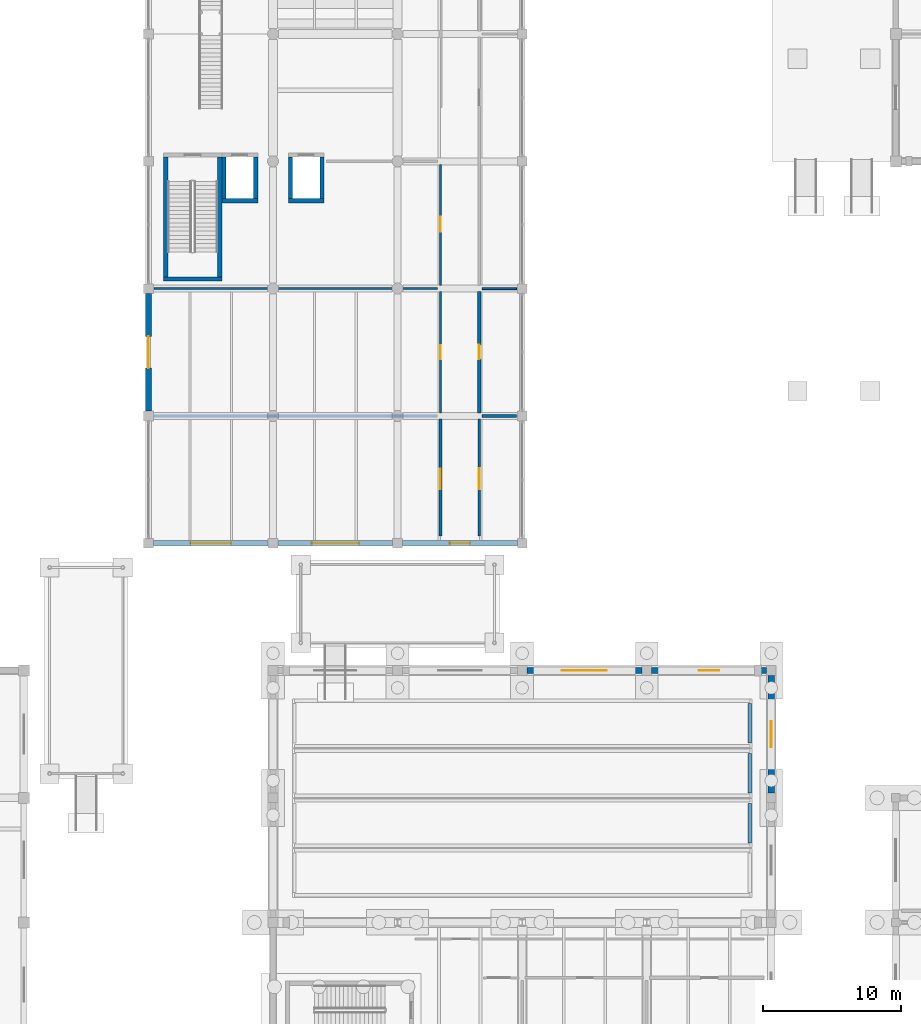
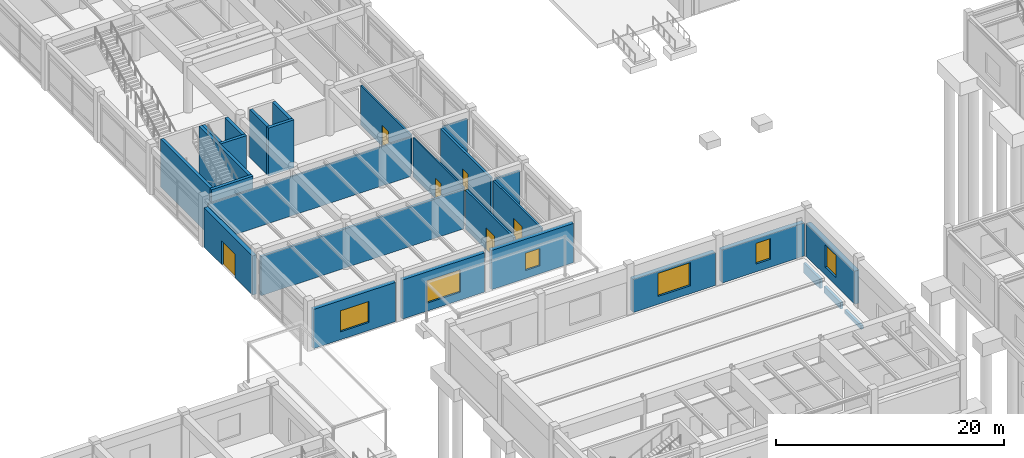
# One storey, part 57 of 76: 28 walls, 6 doors, 6 windows, 12 openings.
"""IFC4 building model written with IfcOpenShell, lengths in metres."""

from ifc_helpers import new_model, si_unit, direction, frame, frame_2d, origin, place, context, subcontext, project, spatial, rectangle, extrude, material, layer, layer_set, type_object, element, fill, save


model = new_model("IFC4")

# Units and contexts
model_context = context("Model", 3, precision=1e-05, world=origin(), true_north=direction((0.0, 1.0)))
body_context = subcontext(model_context, "Body", "Model", "MODEL_VIEW")
ifc_project = project(units=[si_unit("LENGTHUNIT", "METRE"), si_unit("AREAUNIT", "SQUARE_METRE"), si_unit("VOLUMEUNIT", "CUBIC_METRE"), si_unit("PLANEANGLEUNIT", "RADIAN"), si_unit("MASSUNIT", "GRAM", prefix="KILO")], contexts=[model_context])

# Site, building, storey
site_placement = place(None, origin())
site = spatial("IfcSite", under=ifc_project, at=site_placement, CompositionType="ELEMENT")
building_placement = place(site_placement, origin())
building = spatial("IfcBuilding", under=site, at=building_placement, Name="Bozkorgan Art Gallery", CompositionType="ELEMENT")
storey_placement = place(building_placement, origin())
storey = spatial("IfcBuildingStorey", under=building, at=storey_placement, Name="L00", CompositionType="ELEMENT", Elevation=0.0)

# Walls
ifc_material_1 = material(Name="Concrete C40/50", Category="concrete")
ifc_layer_1 = layer(ifc_material_1, 0.300048828125, Name="Concrete C40/50")
ifc_layer_set_1 = layer_set([ifc_layer_1], Name="Concrete C40/50")
wall_type_1 = type_object("IfcWallType", Name="IWALL-CW-44", PredefinedType="SHEAR", material=ifc_layer_set_1)
wall_1_placement = place(storey_placement, frame((75.10009765625, 57.5, 0.0), z_axis=(0.0, 0.0, 1.0), x_axis=(1.0, 0.0, 0.0)))
element("IfcWall", 1, at=wall_1_placement, inside=storey, type_object=wall_type_1, Name="CORE2 L00 stair core S shear wall", PredefinedType="SHEAR", context=body_context, shape_type="SweptSolid", body=[
    extrude(rectangle(XDim=4.199951171875, YDim=0.300048828125, at=frame_2d((2.10009765625, 0.0))), origin(), (0.0, 0.0, 1.0), 5.1201171875),
])
for number, where, z_axis, x_axis, name in (
    (2, (75.25, 57.64990234375, 0.0), (0.0, 0.0, 1.0), (0.0, 1.0, 0.0), "CORE2 L00 stair core W shear wall"),
    (3, (79.14990234375, 57.64990234375, 0.0), (0.0, 0.0, 1.0), (0.0, 1.0, 0.0), "CORE2 L00 stair core E shear wall"),
):
    element("IfcWall", number, at=place(storey_placement, frame(where, z_axis=z_axis, x_axis=x_axis)), inside=storey, type_object=wall_type_1, Name=name, PredefinedType="SHEAR", context=body_context, shape_type="SweptSolid", body=[
        extrude(rectangle(XDim=8.650146484375, YDim=0.300048828125, at=frame_2d((4.3251953125, 0.0))), origin(), (0.0, 0.0, 1.0), 5.1201171875),
    ])
wall_2_placement = place(storey_placement, frame((79.300048828125, 63.14990234375, 0.0), z_axis=(0.0, 0.0, 1.0), x_axis=(1.0, 0.0, 0.0)))
element("IfcWall", 4, at=wall_2_placement, inside=storey, type_object=wall_type_1, Name="PL2 L00 shaft S shear wall", PredefinedType="SHEAR", context=body_context, shape_type="SweptSolid", body=[
    extrude(rectangle(XDim=2.599853515625, YDim=0.300048828125, at=frame_2d((1.2998046875, 0.0))), origin(), (0.0, 0.0, 1.0), 5.1201171875),
])
for number, where, z_axis, x_axis, name in (
    (5, (81.75, 63.300048828125, 0.0), (0.0, 0.0, 1.0), (0.0, 1.0, 0.0), "PL2 L00 shaft E shear wall"),
    (6, (79.449951171875, 63.300048828125, 0.0), (0.0, 0.0, 1.0), (0.0, 1.0, 0.0), "PL2 L00 shaft W shear wall"),
):
    element("IfcWall", number, at=place(storey_placement, frame(where, z_axis=z_axis, x_axis=x_axis)), inside=storey, type_object=wall_type_1, Name=name, PredefinedType="SHEAR", context=body_context, shape_type="SweptSolid", body=[
        extrude(rectangle(XDim=3.0, YDim=0.300048828125, at=frame_2d((1.5, 0.0))), origin(), (0.0, 0.0, 1.0), 5.1201171875),
    ])
wall_3_placement = place(storey_placement, frame((84.10009765625, 63.14990234375, 0.0), z_axis=(0.0, 0.0, 1.0), x_axis=(1.0, 0.0, 0.0)))
element("IfcWall", 7, at=wall_3_placement, inside=storey, type_object=wall_type_1, Name="PL3 L00 shaft S shear wall", PredefinedType="SHEAR", context=body_context, shape_type="SweptSolid", body=[
    extrude(rectangle(XDim=2.599853515625, YDim=0.300048828125, at=frame_2d((1.2998046875, 0.0))), origin(), (0.0, 0.0, 1.0), 5.1201171875),
])
for number, where, z_axis, x_axis, name in (
    (8, (86.550048828125, 63.300048828125, 0.0), (0.0, 0.0, 1.0), (0.0, 1.0, 0.0), "PL3 L00 shaft E shear wall"),
    (9, (84.25, 63.300048828125, 0.0), (0.0, 0.0, 1.0), (0.0, 1.0, 0.0), "PL3 L00 shaft W shear wall"),
):
    element("IfcWall", number, at=place(storey_placement, frame(where, z_axis=z_axis, x_axis=x_axis)), inside=storey, type_object=wall_type_1, Name=name, PredefinedType="SHEAR", context=body_context, shape_type="SweptSolid", body=[
        extrude(rectangle(XDim=3.0, YDim=0.300048828125, at=frame_2d((1.5, 0.0))), origin(), (0.0, 0.0, 1.0), 5.1201171875),
    ])

# Wall, opening, door
ifc_material_2 = material(Name="Acoustic Gypsum & Mineral Wool Partition")
ifc_layer_2 = layer(ifc_material_2, 0.22998046875, Name="Acoustic Gypsum & Mineral Wool Partition")
ifc_layer_set_2 = layer_set([ifc_layer_2], Name="Acoustic Gypsum & Mineral Wool Partition")
wall_type_2 = type_object("IfcWallType", Name="IWALL-PR-08", PredefinedType="PARTITIONING", material=ifc_layer_set_2)
wall_4_placement = place(storey_placement, frame((97.89990234375, 47.820068359375, 0.0), z_axis=(0.0, 0.0, 1.0), x_axis=(0.0, 1.0, 0.0)))
wall_4 = element("IfcWall", 10, at=wall_4_placement, inside=storey, type_object=wall_type_2, Name="V4 L00 acoustic partition wall 203", PredefinedType="PARTITIONING", context=body_context, shape_type="SweptSolid", body=[
    extrude(rectangle(XDim=8.760009765625, YDim=0.22998046875, at=frame_2d((4.3798828125, 0.0))), origin(), (0.0, 0.0, 1.0), 4.195068359375),
])
opening_1_placement = place(wall_4_placement, frame((3.8798828125, 0.0, 0.0)))
opening_1 = element("IfcOpeningElement", 11, at=opening_1_placement, cuts=wall_4, Name="Opening FD-96", PredefinedType="OPENING", context=body_context, shape_type="SweptSolid", body=[
    extrude(rectangle(XDim=1.0400390625, YDim=2.219970703125, at=frame_2d((0.52001953125, 1.10986328125))), frame((0.0, 0.125, 0.0), z_axis=(0.0, -1.0, 0.0), x_axis=(1.0, 0.0, 0.0)), (0.0, 0.0, 1.0), 0.25),
])
ifc_material_3 = material(Name="Oiled European Oak Joinery")
door_type_1 = type_object("IfcDoorType", Name="IDOOR-FD-96", OperationType="NOTDEFINED", PredefinedType="DOOR", material=ifc_material_3)
door_1_placement = place(opening_1_placement, origin())
door_1 = element("IfcDoor", 12, at=door_1_placement, inside=storey, type_object=door_type_1, Name="Central Orientation Atrium Door", OperationType="SINGLE_SWING_RIGHT", OverallHeight=2.219970703125, OverallWidth=1.0400390625, PredefinedType="DOOR", context=body_context, shape_type="SweptSolid", body=[
    extrude(rectangle(XDim=1.0400390625, YDim=2.219970703125, at=frame_2d((0.52001953125, 1.10986328125))), frame((0.0, 0.02490234375, 0.0), z_axis=(0.0, -1.0, 0.0), x_axis=(1.0, 0.0, 0.0)), (0.0, 0.0, 1.0), 0.050048828125),
])
fill(opening_1, door_1)

ifc_layer_3 = layer(ifc_material_2, 0.2099609375, Name="Acoustic Gypsum & Mineral Wool Partition")
ifc_layer_set_3 = layer_set([ifc_layer_3], Name="Acoustic Gypsum & Mineral Wool Partition")
wall_type_3 = type_object("IfcWallType", Name="IWALL-PR-38", PredefinedType="PARTITIONING", material=ifc_layer_set_3)
wall_5_placement = place(storey_placement, frame((95.10009765625, 38.93994140625, 0.0), z_axis=(0.0, 0.0, 1.0), x_axis=(0.0, 1.0, 0.0)))
wall_5 = element("IfcWall", 13, at=wall_5_placement, inside=storey, type_object=wall_type_3, Name="V4 L00 acoustic partition wall 190", PredefinedType="PARTITIONING", context=body_context, shape_type="SweptSolid", body=[
    extrude(rectangle(XDim=8.43994140625, YDim=0.2099609375, at=frame_2d((4.219970703125, 0.0))), origin(), (0.0, 0.0, 1.0), 4.195068359375),
])
opening_2_placement = place(wall_5_placement, frame((4.82763671875, 0.0, 0.0), z_axis=(0.0, 0.0, 1.0), x_axis=(-1.0, 0.0, 0.0)))
opening_2 = element("IfcOpeningElement", 14, at=opening_2_placement, cuts=wall_5, Name="Opening GD-47", PredefinedType="OPENING", context=body_context, shape_type="SweptSolid", body=[
    extrude(rectangle(XDim=1.4599609375, YDim=2.320068359375, at=frame_2d((0.72998046875, 1.16015625))), frame((0.0, 0.114990234375, 0.0), z_axis=(0.0, -1.0, 0.0), x_axis=(1.0, 0.0, 0.0)), (0.0, 0.0, 1.0), 0.22998046875),
])
door_type_2 = type_object("IfcDoorType", Name="IDOOR-GD-47", OperationType="NOTDEFINED", PredefinedType="DOOR", material=ifc_material_3)
door_2_placement = place(opening_2_placement, origin())
door_2 = element("IfcDoor", 15, at=door_2_placement, inside=storey, type_object=door_type_2, Name="Glazed Winter Concourse Door", OperationType="DOUBLE_DOOR_SINGLE_SWING", OverallHeight=2.320068359375, OverallWidth=1.4599609375, PredefinedType="DOOR", context=body_context, shape_type="SweptSolid", body=[
    extrude(rectangle(XDim=1.4599609375, YDim=2.320068359375, at=frame_2d((0.72998046875, 1.16015625))), frame((0.0, 0.02490234375, 0.0), z_axis=(0.0, -1.0, 0.0), x_axis=(1.0, 0.0, 0.0)), (0.0, 0.0, 1.0), 0.050048828125),
])
fill(opening_2, door_2)

ifc_layer_4 = layer(ifc_material_2, 0.169921875, Name="Acoustic Gypsum & Mineral Wool Partition")
ifc_layer_set_4 = layer_set([ifc_layer_4], Name="Acoustic Gypsum & Mineral Wool Partition")
wall_type_4 = type_object("IfcWallType", Name="IWALL-PR-40", PredefinedType="PARTITIONING", material=ifc_layer_set_4)
wall_6_placement = place(storey_placement, frame((95.10009765625, 57.02001953125, 0.0), z_axis=(0.0, 0.0, 1.0), x_axis=(0.0, 1.0, 0.0)))
wall_6 = element("IfcWall", 16, at=wall_6_placement, inside=storey, type_object=wall_type_4, Name="V4 L00 acoustic partition wall 194", PredefinedType="PARTITIONING", context=body_context, shape_type="SweptSolid", body=[
    extrude(rectangle(XDim=8.760009765625, YDim=0.169921875, at=frame_2d((4.3798828125, 0.0))), origin(), (0.0, 0.0, 1.0), 4.195068359375),
])
opening_3_placement = place(wall_6_placement, frame((4.9599609375, 0.0, 0.0), z_axis=(0.0, 0.0, 1.0), x_axis=(-1.0, 0.0, 0.0)))
opening_3 = element("IfcOpeningElement", 17, at=opening_3_placement, cuts=wall_6, Name="Opening FD-44", PredefinedType="OPENING", context=body_context, shape_type="SweptSolid", body=[
    extrude(rectangle(XDim=1.080078125, YDim=2.239990234375, at=frame_2d((0.5400390625, 1.1201171875))), frame((0.0, 0.094970703125, 0.0), z_axis=(0.0, -1.0, 0.0), x_axis=(1.0, 0.0, 0.0)), (0.0, 0.0, 1.0), 0.18994140625),
])
door_type_3 = type_object("IfcDoorType", Name="IDOOR-FD-44", OperationType="NOTDEFINED", PredefinedType="DOOR", material=ifc_material_3)
door_3_placement = place(opening_3_placement, origin())
door_3 = element("IfcDoor", 18, at=door_3_placement, inside=storey, type_object=door_type_3, Name="Public Sculpture Court Indoor Door", OperationType="SINGLE_SWING_LEFT", OverallHeight=2.239990234375, OverallWidth=1.080078125, PredefinedType="DOOR", context=body_context, shape_type="SweptSolid", body=[
    extrude(rectangle(XDim=1.080078125, YDim=2.239990234375, at=frame_2d((0.5400390625, 1.1201171875))), frame((0.0, 0.02490234375, 0.0), z_axis=(0.0, -1.0, 0.0), x_axis=(1.0, 0.0, 0.0)), (0.0, 0.0, 1.0), 0.050048828125),
])
fill(opening_3, door_3)

ifc_layer_5 = layer(ifc_material_2, 0.18994140625, Name="Acoustic Gypsum & Mineral Wool Partition")
ifc_layer_set_5 = layer_set([ifc_layer_5], Name="Acoustic Gypsum & Mineral Wool Partition")
wall_type_5 = type_object("IfcWallType", Name="IWALL-PR-66", PredefinedType="PARTITIONING", material=ifc_layer_set_5)
wall_7_placement = place(storey_placement, frame((97.89990234375, 38.93994140625, 0.0), z_axis=(0.0, 0.0, 1.0), x_axis=(0.0, 1.0, 0.0)))
wall_7 = element("IfcWall", 19, at=wall_7_placement, inside=storey, type_object=wall_type_5, Name="V4 L00 acoustic partition wall 201", PredefinedType="PARTITIONING", context=body_context, shape_type="SweptSolid", body=[
    extrude(rectangle(XDim=8.43994140625, YDim=0.18994140625, at=frame_2d((4.219970703125, 0.0))), origin(), (0.0, 0.0, 1.0), 4.195068359375),
])
opening_4_placement = place(wall_7_placement, frame((3.36767578125, 0.0, 0.0)))
opening_4 = element("IfcOpeningElement", 20, at=opening_4_placement, cuts=wall_7, Name="Opening GD-06", PredefinedType="OPENING", context=body_context, shape_type="SweptSolid", body=[
    extrude(rectangle(XDim=1.5, YDim=2.35009765625, at=frame_2d((0.75, 1.175048828125))), frame((0.0, 0.10498046875, 0.0), z_axis=(0.0, -1.0, 0.0), x_axis=(1.0, 0.0, 0.0)), (0.0, 0.0, 1.0), 0.2099609375),
])
door_type_4 = type_object("IfcDoorType", Name="IDOOR-GD-06", OperationType="NOTDEFINED", PredefinedType="DOOR", material=ifc_material_3)
door_4_placement = place(opening_4_placement, origin())
door_4 = element("IfcDoor", 21, at=door_4_placement, inside=storey, type_object=door_type_4, Name="Glazed Winter Concourse Door", OperationType="DOUBLE_DOOR_SINGLE_SWING", OverallHeight=2.35009765625, OverallWidth=1.5, PredefinedType="DOOR", context=body_context, shape_type="SweptSolid", body=[
    extrude(rectangle(XDim=1.5, YDim=2.35009765625, at=frame_2d((0.75, 1.175048828125))), frame((0.0, 0.02490234375, 0.0), z_axis=(0.0, -1.0, 0.0), x_axis=(1.0, 0.0, 0.0)), (0.0, 0.0, 1.0), 0.050048828125),
])
fill(opening_4, door_4)

ifc_layer_6 = layer(ifc_material_2, 0.1298828125, Name="Acoustic Gypsum & Mineral Wool Partition")
ifc_layer_set_6 = layer_set([ifc_layer_6], Name="Acoustic Gypsum & Mineral Wool Partition")
wall_type_6 = type_object("IfcWallType", Name="IWALL-PR-76", PredefinedType="PARTITIONING", material=ifc_layer_set_6)
wall_8_placement = place(storey_placement, frame((95.10009765625, 47.820068359375, 0.0), z_axis=(0.0, 0.0, 1.0), x_axis=(0.0, 1.0, 0.0)))
wall_8 = element("IfcWall", 22, at=wall_8_placement, inside=storey, type_object=wall_type_6, Name="V4 L00 acoustic partition wall 192", PredefinedType="PARTITIONING", context=body_context, shape_type="SweptSolid", body=[
    extrude(rectangle(XDim=8.760009765625, YDim=0.1298828125, at=frame_2d((4.3798828125, 0.0))), origin(), (0.0, 0.0, 1.0), 4.195068359375),
])
opening_5_placement = place(wall_8_placement, frame((4.8798828125, 0.0, 0.0), z_axis=(0.0, 0.0, 1.0), x_axis=(-1.0, 0.0, 0.0)))
opening_5 = element("IfcOpeningElement", 23, at=opening_5_placement, cuts=wall_8, Name="Opening FD-60", PredefinedType="OPENING", context=body_context, shape_type="SweptSolid", body=[
    extrude(rectangle(XDim=1.0, YDim=2.199951171875, at=frame_2d((0.5, 1.10009765625))), frame((0.0, 0.074951171875, 0.0), z_axis=(0.0, -1.0, 0.0), x_axis=(1.0, 0.0, 0.0)), (0.0, 0.0, 1.0), 0.14990234375),
])
door_type_5 = type_object("IfcDoorType", Name="IDOOR-FD-60", OperationType="NOTDEFINED", PredefinedType="DOOR", material=ifc_material_3)
door_5_placement = place(opening_5_placement, origin())
door_5 = element("IfcDoor", 24, at=door_5_placement, inside=storey, type_object=door_type_5, Name="Central Orientation Atrium Door", OperationType="SINGLE_SWING_RIGHT", OverallHeight=2.199951171875, OverallWidth=1.0, PredefinedType="DOOR", context=body_context, shape_type="SweptSolid", body=[
    extrude(rectangle(XDim=1.0, YDim=2.199951171875, at=frame_2d((0.5, 1.10009765625))), frame((0.0, 0.02490234375, 0.0), z_axis=(0.0, -1.0, 0.0), x_axis=(1.0, 0.0, 0.0)), (0.0, 0.0, 1.0), 0.050048828125),
])
fill(opening_5, door_5)

# Walls
ifc_layer_7 = layer(ifc_material_2, 0.14990234375, Name="Acoustic Gypsum & Mineral Wool Partition")
ifc_layer_set_7 = layer_set([ifc_layer_7], Name="Acoustic Gypsum & Mineral Wool Partition")
wall_type_7 = type_object("IfcWallType", Name="IWALL-PW-17", PredefinedType="PARTITIONING", material=ifc_layer_set_7)
wall_9_placement = place(storey_placement, frame((74.39990234375, 56.800048828125, 0.0), z_axis=(0.0, 0.0, 1.0), x_axis=(1.0, 0.0, 0.0)))
element("IfcWall", 25, at=wall_9_placement, inside=storey, type_object=wall_type_7, Name="V4 L00 acoustic partition wall 193", PredefinedType="PARTITIONING", context=body_context, shape_type="SweptSolid", body=[
    extrude(rectangle(XDim=20.5, YDim=0.14990234375, at=frame_2d((10.25, 0.0))), origin(), (0.0, 0.0, 1.0), 4.195068359375),
])
ifc_layer_8 = layer(ifc_material_2, 0.2099609375, Name="Acoustic Gypsum & Mineral Wool Partition")
ifc_layer_set_8 = layer_set([ifc_layer_8], Name="Acoustic Gypsum & Mineral Wool Partition")
wall_type_8 = type_object("IfcWallType", Name="IWALL-PW-72", PredefinedType="PARTITIONING", material=ifc_layer_set_8)
wall_10_placement = place(storey_placement, frame((98.10009765625, 47.60009765625, 0.0), z_axis=(0.0, 0.0, 1.0), x_axis=(1.0, 0.0, 0.0)))
element("IfcWall", 26, at=wall_10_placement, inside=storey, type_object=wall_type_8, Name="V4 L00 acoustic partition wall 202", PredefinedType="PARTITIONING", context=body_context, shape_type="SweptSolid", body=[
    extrude(rectangle(XDim=2.5, YDim=0.2099609375, at=frame_2d((1.25, 0.0))), origin(), (0.0, 0.0, 1.0), 4.195068359375),
])
ifc_layer_9 = layer(ifc_material_2, 0.22998046875, Name="Acoustic Gypsum & Mineral Wool Partition")
ifc_layer_set_9 = layer_set([ifc_layer_9], Name="Acoustic Gypsum & Mineral Wool Partition")
wall_type_9 = type_object("IfcWallType", Name="IWALL-PW-96", PredefinedType="PARTITIONING", material=ifc_layer_set_9)
wall_11_placement = place(storey_placement, frame((74.39990234375, 47.60009765625, 0.0), z_axis=(0.0, 0.0, 1.0), x_axis=(1.0, 0.0, 0.0)))
element("IfcWall", 27, at=wall_11_placement, inside=storey, type_object=wall_type_9, Name="V4 L00 acoustic partition wall 191", PredefinedType="PARTITIONING", context=body_context, shape_type="SweptSolid", body=[
    extrude(rectangle(XDim=20.5, YDim=0.22998046875, at=frame_2d((10.25, 0.0))), origin(), (0.0, 0.0, 1.0), 4.195068359375),
])
ifc_layer_10 = layer(ifc_material_2, 0.1298828125, Name="Acoustic Gypsum & Mineral Wool Partition")
ifc_layer_set_10 = layer_set([ifc_layer_10], Name="Acoustic Gypsum & Mineral Wool Partition")
wall_type_10 = type_object("IfcWallType", Name="IWALL-PW-97", PredefinedType="PARTITIONING", material=ifc_layer_set_10)
wall_12_placement = place(storey_placement, frame((98.10009765625, 56.800048828125, 0.0), z_axis=(0.0, 0.0, 1.0), x_axis=(1.0, 0.0, 0.0)))
element("IfcWall", 28, at=wall_12_placement, inside=storey, type_object=wall_type_10, Name="V4 L00 acoustic partition wall 204", PredefinedType="PARTITIONING", context=body_context, shape_type="SweptSolid", body=[
    extrude(rectangle(XDim=2.5, YDim=0.1298828125, at=frame_2d((1.25, 0.0))), origin(), (0.0, 0.0, 1.0), 4.195068359375),
])
ifc_material_4 = material(Name="Concrete C35/45", Category="concrete")
ifc_layer_11 = layer(ifc_material_4, 0.25, Name="Concrete C35/45")
ifc_layer_set_11 = layer_set([ifc_layer_11], Name="Concrete C35/45")
wall_type_11 = type_object("IfcWallType", Name="WALL-AUD-SLP", PredefinedType="SOLIDWALL", material=ifc_layer_set_11)
wall_13_placement = place(storey_placement, frame((117.449951171875, 16.75, 0.0), z_axis=(0.0, 0.0, 1.0), x_axis=(0.0, 1.0, 0.0)))
element("IfcWall", 29, at=wall_13_placement, inside=storey, type_object=wall_type_11, Name="Auditorium tier 2 RC sleeper wall E", PredefinedType="SOLIDWALL", context=body_context, shape_type="SweptSolid", body=[
    extrude(rectangle(XDim=2.860107421875, YDim=0.25, at=frame_2d((1.43017578125, 0.0))), origin(), (0.0, 0.0, 1.0), 0.39990234375),
])
wall_14_placement = place(storey_placement, frame((117.449951171875, 20.35009765625, 0.0), z_axis=(0.0, 0.0, 1.0), x_axis=(0.0, 1.0, 0.0)))
element("IfcWall", 30, at=wall_14_placement, inside=storey, type_object=wall_type_11, Name="Auditorium tier 3 RC sleeper wall E", PredefinedType="SOLIDWALL", context=body_context, shape_type="SweptSolid", body=[
    extrude(rectangle(XDim=2.85986328125, YDim=0.25, at=frame_2d((1.429931640625, 0.0))), origin(), (0.0, 0.0, 1.0), 0.719970703125),
])
wall_15_placement = place(storey_placement, frame((117.449951171875, 23.949951171875, 0.0), z_axis=(0.0, 0.0, 1.0), x_axis=(0.0, 1.0, 0.0)))
element("IfcWall", 31, at=wall_15_placement, inside=storey, type_object=wall_type_11, Name="Auditorium tier 4 RC sleeper wall E", PredefinedType="SOLIDWALL", context=body_context, shape_type="SweptSolid", body=[
    extrude(rectangle(XDim=2.860107421875, YDim=0.25, at=frame_2d((1.43017578125, 0.0))), origin(), (0.0, 0.0, 1.0), 1.0400390625),
])

# Wall, opening, door
ifc_material_5 = material(Name="Kordai Rose Granite Ashlar", Category="masonry")
ifc_layer_12 = layer(ifc_material_5, 0.39990234375, Name="Kordai Rose Granite Ashlar")
ifc_layer_set_12 = layer_set([ifc_layer_12], Name="Kordai Rose Granite Ashlar")
wall_type_12 = type_object("IfcWallType", Name="WALL-EW-92", PredefinedType="STANDARD", material=ifc_layer_set_12)
wall_16_placement = place(storey_placement, frame((74.0, 47.949951171875, 0.0), z_axis=(0.0, 0.0, 1.0), x_axis=(0.0, 1.0, 0.0)))
wall_16 = element("IfcWall", 32, at=wall_16_placement, inside=storey, type_object=wall_type_12, Name="V4 L00 entrance portal wall (ED09)", PredefinedType="STANDARD", context=body_context, shape_type="SweptSolid", body=[
    extrude(rectangle(XDim=8.5, YDim=0.39990234375, at=frame_2d((4.25, 0.0))), origin(), (0.0, 0.0, 1.0), 4.195068359375),
])
opening_6_placement = place(wall_16_placement, frame((3.10009765625, 0.0, 0.0)))
opening_6 = element("IfcOpeningElement", 33, at=opening_6_placement, cuts=wall_16, Name="Opening ED-99", PredefinedType="OPENING", context=body_context, shape_type="SweptSolid", body=[
    extrude(rectangle(XDim=2.300048828125, YDim=2.550048828125, at=frame_2d((1.14990234375, 1.27490234375))), frame((0.0, 0.2099609375, 0.0), z_axis=(0.0, -1.0, 0.0), x_axis=(1.0, 0.0, 0.0)), (0.0, 0.0, 1.0), 0.419921875),
])
ifc_material_6 = material(Name="Anodised Bronze Aluminium", Category="aluminium")
door_type_6 = type_object("IfcDoorType", Name="DOOR-ED-99", OperationType="NOTDEFINED", PredefinedType="DOOR", material=ifc_material_6)
door_6_placement = place(opening_6_placement, origin())
door_6 = element("IfcDoor", 34, at=door_6_placement, inside=storey, type_object=door_type_6, Name="ED09 Final Exit Portal Door", OperationType="DOUBLE_DOOR_SINGLE_SWING", OverallHeight=2.550048828125, OverallWidth=2.300048828125, PredefinedType="DOOR", context=body_context, shape_type="SweptSolid", body=[
    extrude(rectangle(XDim=2.300048828125, YDim=2.550048828125, at=frame_2d((1.14990234375, 1.27490234375))), frame((0.0, 0.02490234375, 0.0), z_axis=(0.0, -1.0, 0.0), x_axis=(1.0, 0.0, 0.0)), (0.0, 0.0, 1.0), 0.050048828125),
])
fill(opening_6, door_6)

# Wall, opening, window
ifc_layer_13 = layer(ifc_material_5, 0.449951171875, Name="Kordai Rose Granite Ashlar")
ifc_layer_set_13 = layer_set([ifc_layer_13], Name="Kordai Rose Granite Ashlar")
wall_type_13 = type_object("IfcWallType", Name="WALL-WA-47", PredefinedType="STANDARD", material=ifc_layer_set_13)
wall_17_placement = place(storey_placement, frame((101.35009765625, 29.199951171875, 0.0), z_axis=(0.0, 0.0, 1.0), x_axis=(1.0, 0.0, 0.0)))
wall_17 = element("IfcWall", 35, at=wall_17_placement, inside=storey, type_object=wall_type_13, Name="V3 L00 exterior facade wall 1N-6", PredefinedType="STANDARD", context=body_context, shape_type="SweptSolid", body=[
    extrude(rectangle(XDim=8.2998046875, YDim=0.449951171875, at=frame_2d((4.14990234375, 0.0))), origin(), (0.0, 0.0, 1.0), 3.544921875),
])
opening_7_placement = place(wall_17_placement, frame((2.52490234375, 0.0, 0.85009765625)))
opening_7 = element("IfcOpeningElement", 36, at=opening_7_placement, cuts=wall_17, Name="Opening WN-91", PredefinedType="OPENING", context=body_context, shape_type="SweptSolid", body=[
    extrude(rectangle(XDim=3.25, YDim=2.469970703125, at=frame_2d((1.625, 1.23486328125))), frame((0.0, 0.23486328125, 0.0), z_axis=(0.0, -1.0, 0.0), x_axis=(1.0, 0.0, 0.0)), (0.0, 0.0, 1.0), 0.469970703125),
])
ifc_material_7 = material(Name="Triple Low-E Laminated Glass", Category="glass")
window_type_1 = type_object("IfcWindowType", Name="WIN-WN-91", PartitioningType="SINGLE_PANEL", PredefinedType="WINDOW", material=ifc_material_7)
window_1_placement = place(opening_7_placement, origin())
window_1 = element("IfcWindow", 37, at=window_1_placement, inside=storey, type_object=window_type_1, Name="V3 L00 gallery window 1N-6", OverallHeight=2.469970703125, OverallWidth=3.25, PartitioningType="SINGLE_PANEL", PredefinedType="WINDOW", context=body_context, shape_type="SweptSolid", body=[
    extrude(rectangle(XDim=3.25, YDim=2.469970703125, at=frame_2d((1.625, 1.23486328125))), frame((0.0, 0.030029296875, 0.0), z_axis=(0.0, -1.0, 0.0), x_axis=(1.0, 0.0, 0.0)), (0.0, 0.0, 1.0), 0.06005859375),
])
fill(opening_7, window_1)

wall_18_placement = place(storey_placement, frame((110.35009765625, 29.199951171875, 0.0), z_axis=(0.0, 0.0, 1.0), x_axis=(1.0, 0.0, 0.0)))
wall_18 = element("IfcWall", 38, at=wall_18_placement, inside=storey, type_object=wall_type_13, Name="V3 L00 exterior facade wall 1N-8", PredefinedType="STANDARD", context=body_context, shape_type="SweptSolid", body=[
    extrude(rectangle(XDim=8.2998046875, YDim=0.449951171875, at=frame_2d((4.14990234375, 0.0))), origin(), (0.0, 0.0, 1.0), 3.544921875),
])
opening_8_placement = place(wall_18_placement, frame((3.39990234375, 0.0, 0.85009765625)))
opening_8 = element("IfcOpeningElement", 39, at=opening_8_placement, cuts=wall_18, Name="Opening WN-07", PredefinedType="OPENING", context=body_context, shape_type="SweptSolid", body=[
    extrude(rectangle(XDim=1.5, YDim=2.199951171875, at=frame_2d((0.75, 1.10009765625))), frame((0.0, 0.23486328125, 0.0), z_axis=(0.0, -1.0, 0.0), x_axis=(1.0, 0.0, 0.0)), (0.0, 0.0, 1.0), 0.469970703125),
])
window_type_2 = type_object("IfcWindowType", Name="WIN-WN-07", PartitioningType="SINGLE_PANEL", PredefinedType="WINDOW", material=ifc_material_7)
window_2_placement = place(opening_8_placement, origin())
window_2 = element("IfcWindow", 40, at=window_2_placement, inside=storey, type_object=window_type_2, Name="V3 L00 gallery window 1N-8", OverallHeight=2.199951171875, OverallWidth=1.5, PartitioningType="SINGLE_PANEL", PredefinedType="WINDOW", context=body_context, shape_type="SweptSolid", body=[
    extrude(rectangle(XDim=1.5, YDim=2.199951171875, at=frame_2d((0.75, 1.10009765625))), frame((0.0, 0.030029296875, 0.0), z_axis=(0.0, -1.0, 0.0), x_axis=(1.0, 0.0, 0.0)), (0.0, 0.0, 1.0), 0.06005859375),
])
fill(opening_8, window_2)

wall_19_placement = place(storey_placement, frame((119.0, 20.35009765625, 0.0), z_axis=(0.0, 0.0, 1.0), x_axis=(0.0, 1.0, 0.0)))
wall_19 = element("IfcWall", 41, at=wall_19_placement, inside=storey, type_object=wall_type_13, Name="V3 L00 exterior facade wall 1E-14", PredefinedType="STANDARD", context=body_context, shape_type="SweptSolid", body=[
    extrude(rectangle(XDim=8.5, YDim=0.449951171875, at=frame_2d((4.25, 0.0))), origin(), (0.0, 0.0, 1.0), 3.544921875),
])
opening_9_placement = place(wall_19_placement, frame((5.199951171875, 0.0, 0.85009765625), z_axis=(0.0, 0.0, 1.0), x_axis=(-1.0, 0.0, 0.0)))
opening_9 = element("IfcOpeningElement", 42, at=opening_9_placement, cuts=wall_19, Name="Opening WN-52", PredefinedType="OPENING", context=body_context, shape_type="SweptSolid", body=[
    extrude(rectangle(XDim=1.89990234375, YDim=2.39990234375, at=frame_2d((0.949951171875, 1.199951171875))), frame((0.0, 0.23486328125, 0.0), z_axis=(0.0, -1.0, 0.0), x_axis=(1.0, 0.0, 0.0)), (0.0, 0.0, 1.0), 0.469970703125),
])
window_type_3 = type_object("IfcWindowType", Name="WIN-WN-52", PartitioningType="SINGLE_PANEL", PredefinedType="WINDOW", material=ifc_material_7)
window_3_placement = place(opening_9_placement, origin())
window_3 = element("IfcWindow", 43, at=window_3_placement, inside=storey, type_object=window_type_3, Name="V3 L00 gallery window 1E-14", OverallHeight=2.39990234375, OverallWidth=1.89990234375, PartitioningType="SINGLE_PANEL", PredefinedType="WINDOW", context=body_context, shape_type="SweptSolid", body=[
    extrude(rectangle(XDim=1.89990234375, YDim=2.39990234375, at=frame_2d((0.949951171875, 1.199951171875))), frame((0.0, 0.030029296875, 0.0), z_axis=(0.0, -1.0, 0.0), x_axis=(1.0, 0.0, 0.0)), (0.0, 0.0, 1.0), 0.06005859375),
])
fill(opening_9, window_3)

ifc_layer_14 = layer(ifc_material_5, 0.39990234375, Name="Kordai Rose Granite Ashlar")
ifc_layer_set_14 = layer_set([ifc_layer_14], Name="Kordai Rose Granite Ashlar")
wall_type_14 = type_object("IfcWallType", Name="WALL-WG-66", PredefinedType="STANDARD", material=ifc_layer_set_14)
wall_20_placement = place(storey_placement, frame((74.35009765625, 38.39990234375, 0.0), z_axis=(0.0, 0.0, 1.0), x_axis=(1.0, 0.0, 0.0)))
wall_20 = element("IfcWall", 44, at=wall_20_placement, inside=storey, type_object=wall_type_14, Name="V4 L00 exterior facade wall 1S-1", PredefinedType="STANDARD", context=body_context, shape_type="SweptSolid", body=[
    extrude(rectangle(XDim=8.2998046875, YDim=0.39990234375, at=frame_2d((4.14990234375, 0.0))), origin(), (0.0, 0.0, 1.0), 4.195068359375),
])
opening_10_placement = place(wall_20_placement, frame((5.599853515625, 0.0, 0.85009765625), z_axis=(0.0, 0.0, 1.0), x_axis=(-1.0, 0.0, 0.0)))
opening_10 = element("IfcOpeningElement", 45, at=opening_10_placement, cuts=wall_20, Name="Opening WN-54", PredefinedType="OPENING", context=body_context, shape_type="SweptSolid", body=[
    extrude(rectangle(XDim=2.89990234375, YDim=2.25, at=frame_2d((1.449951171875, 1.125))), frame((0.0, 0.2099609375, 0.0), z_axis=(0.0, -1.0, 0.0), x_axis=(1.0, 0.0, 0.0)), (0.0, 0.0, 1.0), 0.419921875),
])
window_type_4 = type_object("IfcWindowType", Name="WIN-WN-54", PartitioningType="SINGLE_PANEL", PredefinedType="WINDOW", material=ifc_material_7)
window_4_placement = place(opening_10_placement, origin())
window_4 = element("IfcWindow", 46, at=window_4_placement, inside=storey, type_object=window_type_4, Name="V4 L00 gallery window 1S-1", OverallHeight=2.25, OverallWidth=2.89990234375, PartitioningType="SINGLE_PANEL", PredefinedType="WINDOW", context=body_context, shape_type="SweptSolid", body=[
    extrude(rectangle(XDim=2.89990234375, YDim=2.25, at=frame_2d((1.449951171875, 1.125))), frame((0.0, 0.030029296875, 0.0), z_axis=(0.0, -1.0, 0.0), x_axis=(1.0, 0.0, 0.0)), (0.0, 0.0, 1.0), 0.06005859375),
])
fill(opening_10, window_4)

wall_21_placement = place(storey_placement, frame((83.35009765625, 38.39990234375, 0.0), z_axis=(0.0, 0.0, 1.0), x_axis=(1.0, 0.0, 0.0)))
wall_21 = element("IfcWall", 47, at=wall_21_placement, inside=storey, type_object=wall_type_14, Name="V4 L00 exterior facade wall 1S-3", PredefinedType="STANDARD", context=body_context, shape_type="SweptSolid", body=[
    extrude(rectangle(XDim=8.2998046875, YDim=0.39990234375, at=frame_2d((4.14990234375, 0.0))), origin(), (0.0, 0.0, 1.0), 4.195068359375),
])
opening_11_placement = place(wall_21_placement, frame((5.849853515625, 0.0, 0.85009765625), z_axis=(0.0, 0.0, 1.0), x_axis=(-1.0, 0.0, 0.0)))
opening_11 = element("IfcOpeningElement", 48, at=opening_11_placement, cuts=wall_21, Name="Opening WN-90", PredefinedType="OPENING", context=body_context, shape_type="SweptSolid", body=[
    extrude(rectangle(XDim=3.39990234375, YDim=2.39990234375, at=frame_2d((1.699951171875, 1.199951171875))), frame((0.0, 0.2099609375, 0.0), z_axis=(0.0, -1.0, 0.0), x_axis=(1.0, 0.0, 0.0)), (0.0, 0.0, 1.0), 0.419921875),
])
window_type_5 = type_object("IfcWindowType", Name="WIN-WN-90", PartitioningType="SINGLE_PANEL", PredefinedType="WINDOW", material=ifc_material_7)
window_5_placement = place(opening_11_placement, origin())
window_5 = element("IfcWindow", 49, at=window_5_placement, inside=storey, type_object=window_type_5, Name="V4 L00 gallery window 1S-3", OverallHeight=2.39990234375, OverallWidth=3.39990234375, PartitioningType="SINGLE_PANEL", PredefinedType="WINDOW", context=body_context, shape_type="SweptSolid", body=[
    extrude(rectangle(XDim=3.39990234375, YDim=2.39990234375, at=frame_2d((1.699951171875, 1.199951171875))), frame((0.0, 0.030029296875, 0.0), z_axis=(0.0, -1.0, 0.0), x_axis=(1.0, 0.0, 0.0)), (0.0, 0.0, 1.0), 0.06005859375),
])
fill(opening_11, window_5)

wall_22_placement = place(storey_placement, frame((92.35009765625, 38.39990234375, 0.0), z_axis=(0.0, 0.0, 1.0), x_axis=(1.0, 0.0, 0.0)))
wall_22 = element("IfcWall", 50, at=wall_22_placement, inside=storey, type_object=wall_type_14, Name="V4 L00 exterior facade wall 1S-5", PredefinedType="STANDARD", context=body_context, shape_type="SweptSolid", body=[
    extrude(rectangle(XDim=8.2998046875, YDim=0.39990234375, at=frame_2d((4.14990234375, 0.0))), origin(), (0.0, 0.0, 1.0), 4.195068359375),
])
opening_12_placement = place(wall_22_placement, frame((4.875, 0.0, 0.85009765625), z_axis=(0.0, 0.0, 1.0), x_axis=(-1.0, 0.0, 0.0)))
opening_12 = element("IfcOpeningElement", 51, at=opening_12_placement, cuts=wall_22, Name="Opening WN-34", PredefinedType="OPENING", context=body_context, shape_type="SweptSolid", body=[
    extrude(rectangle(XDim=1.449951171875, YDim=1.85009765625, at=frame_2d((0.72509765625, 0.925048828125))), frame((0.0, 0.2099609375, 0.0), z_axis=(0.0, -1.0, 0.0), x_axis=(1.0, 0.0, 0.0)), (0.0, 0.0, 1.0), 0.419921875),
])
window_type_6 = type_object("IfcWindowType", Name="WIN-WN-34", PartitioningType="SINGLE_PANEL", PredefinedType="WINDOW", material=ifc_material_7)
window_6_placement = place(opening_12_placement, origin())
window_6 = element("IfcWindow", 52, at=window_6_placement, inside=storey, type_object=window_type_6, Name="V4 L00 gallery window 1S-5", OverallHeight=1.85009765625, OverallWidth=1.449951171875, PartitioningType="SINGLE_PANEL", PredefinedType="WINDOW", context=body_context, shape_type="SweptSolid", body=[
    extrude(rectangle(XDim=1.449951171875, YDim=1.85009765625, at=frame_2d((0.72509765625, 0.925048828125))), frame((0.0, 0.030029296875, 0.0), z_axis=(0.0, -1.0, 0.0), x_axis=(1.0, 0.0, 0.0)), (0.0, 0.0, 1.0), 0.06005859375),
])
fill(opening_12, window_6)

save(model, "model.ifc")
